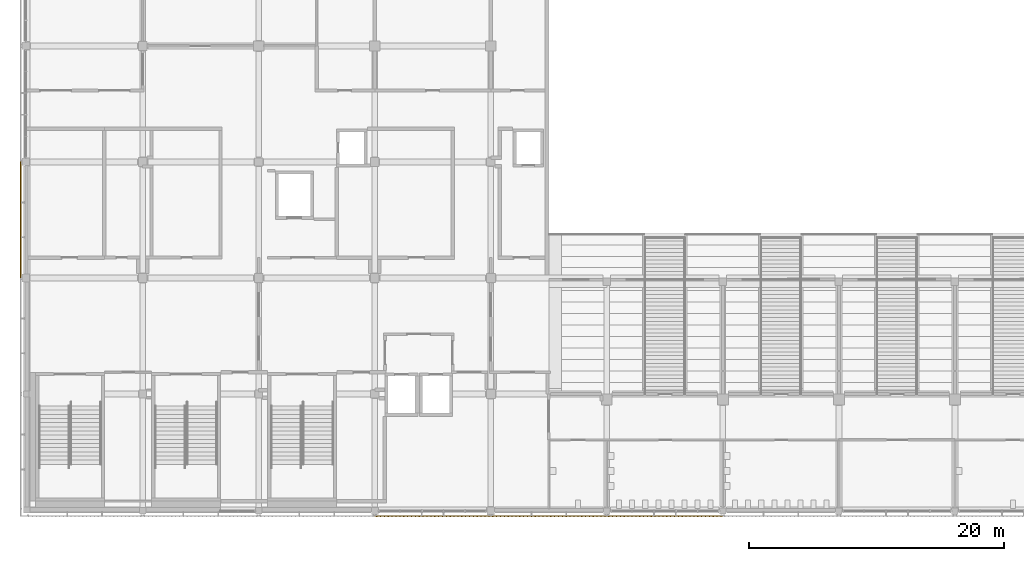
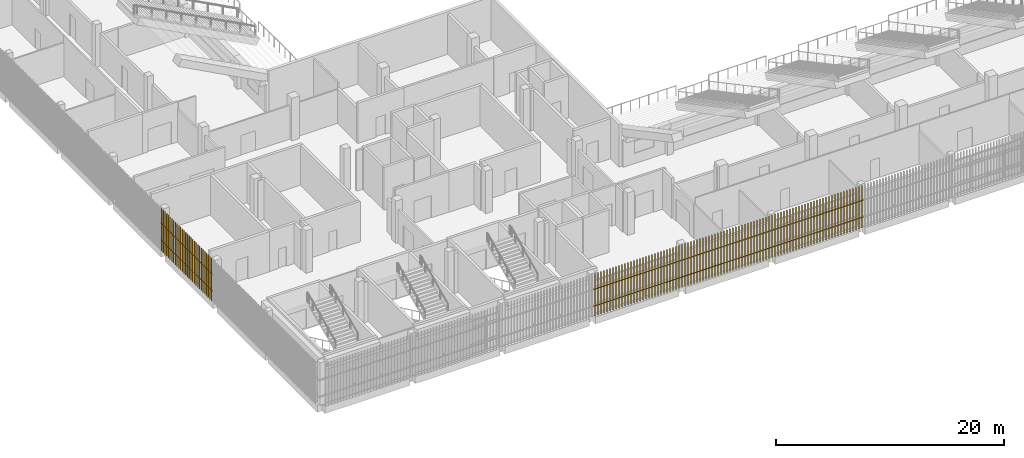
# One storey, part 115 of 139: 4 shading devices.
"""IFC4 building model written with IfcOpenShell, lengths in metres."""

from ifc_helpers import new_model, si_unit, direction, frame, origin, origin_2d, place, context, subcontext, project, spatial, rectangle, extrude, material, type_object, element, save


model = new_model("IFC4")

# Units and contexts
model_context = context("Model", 3, precision=1e-05, world=origin(), true_north=direction((0.0, 1.0)))
body_context = subcontext(model_context, "Body", "Model", "MODEL_VIEW")
ifc_project = project(units=[si_unit("LENGTHUNIT", "METRE"), si_unit("AREAUNIT", "SQUARE_METRE"), si_unit("VOLUMEUNIT", "CUBIC_METRE"), si_unit("PLANEANGLEUNIT", "RADIAN"), si_unit("MASSUNIT", "GRAM", prefix="KILO")], contexts=[model_context])

# Site, building, storey
site_placement = place(None, origin())
site = spatial("IfcSite", under=ifc_project, at=site_placement, CompositionType="ELEMENT")
building_placement = place(site_placement, origin())
building = spatial("IfcBuilding", under=site, at=building_placement, Name="Shirokan Park Arena", CompositionType="ELEMENT")
storey_placement = place(building_placement, frame((0.0, 0.0, 15.469970703125)))
storey = spatial("IfcBuildingStorey", under=building, at=storey_placement, Name="L03", CompositionType="ELEMENT", Elevation=15.469970703125)

# Shading devices
ifc_material = material(Name="Timber louvre veil (cedar)", Category="wood")
shading_device_type = type_object("IfcShadingDeviceType", Name="Timber louvre veil panel", PredefinedType="JALOUSIE", material=ifc_material)
shading_device_1_placement = place(storey_placement, origin())
element("IfcShadingDevice", 1, at=shading_device_1_placement, inside=storey, type_object=shading_device_type, Name="Timber louvre veil south bay 4 L03", PredefinedType="JALOUSIE", context=body_context, shape_type="SweptSolid", body=[
    extrude(rectangle(XDim=0.050048828125, YDim=0.080078125, at=origin_2d()), frame((27.45166015625, -0.485107421875, 0.0), z_axis=(0.0, 0.0, 1.0), x_axis=(1.0, 0.0, 0.0)), (0.0, 0.0, 1.0), 4.550048828125),
    extrude(rectangle(XDim=0.050048828125, YDim=0.080078125, at=origin_2d()), frame((27.7548828125, -0.485107421875, 0.0), z_axis=(0.0, 0.0, 1.0), x_axis=(1.0, 0.0, 0.0)), (0.0, 0.0, 1.0), 4.550048828125),
    extrude(rectangle(XDim=0.050048828125, YDim=0.080078125, at=origin_2d()), frame((28.058349609375, -0.485107421875, 0.0), z_axis=(0.0, 0.0, 1.0), x_axis=(1.0, 0.0, 0.0)), (0.0, 0.0, 1.0), 4.550048828125),
    extrude(rectangle(XDim=0.050048828125, YDim=0.080078125, at=origin_2d()), frame((28.361572265625, -0.485107421875, 0.0), z_axis=(0.0, 0.0, 1.0), x_axis=(1.0, 0.0, 0.0)), (0.0, 0.0, 1.0), 4.550048828125),
    extrude(rectangle(XDim=0.050048828125, YDim=0.080078125, at=origin_2d()), frame((28.6650390625, -0.485107421875, 0.0), z_axis=(0.0, 0.0, 1.0), x_axis=(1.0, 0.0, 0.0)), (0.0, 0.0, 1.0), 4.550048828125),
    extrude(rectangle(XDim=0.050048828125, YDim=0.080078125, at=origin_2d()), frame((28.96826171875, -0.485107421875, 0.0), z_axis=(0.0, 0.0, 1.0), x_axis=(1.0, 0.0, 0.0)), (0.0, 0.0, 1.0), 4.550048828125),
    extrude(rectangle(XDim=0.050048828125, YDim=0.080078125, at=origin_2d()), frame((29.271728515625, -0.485107421875, 0.0), z_axis=(0.0, 0.0, 1.0), x_axis=(1.0, 0.0, 0.0)), (0.0, 0.0, 1.0), 4.550048828125),
    extrude(rectangle(XDim=0.050048828125, YDim=0.080078125, at=origin_2d()), frame((29.574951171875, -0.485107421875, 0.0), z_axis=(0.0, 0.0, 1.0), x_axis=(1.0, 0.0, 0.0)), (0.0, 0.0, 1.0), 4.550048828125),
    extrude(rectangle(XDim=0.050048828125, YDim=0.080078125, at=origin_2d()), frame((29.87841796875, -0.485107421875, 0.0), z_axis=(0.0, 0.0, 1.0), x_axis=(1.0, 0.0, 0.0)), (0.0, 0.0, 1.0), 4.550048828125),
    extrude(rectangle(XDim=0.050048828125, YDim=0.080078125, at=origin_2d()), frame((30.181640625, -0.485107421875, 0.0), z_axis=(0.0, 0.0, 1.0), x_axis=(1.0, 0.0, 0.0)), (0.0, 0.0, 1.0), 4.550048828125),
    extrude(rectangle(XDim=0.050048828125, YDim=0.080078125, at=origin_2d()), frame((30.485107421875, -0.485107421875, 0.0), z_axis=(0.0, 0.0, 1.0), x_axis=(1.0, 0.0, 0.0)), (0.0, 0.0, 1.0), 4.550048828125),
    extrude(rectangle(XDim=0.050048828125, YDim=0.080078125, at=origin_2d()), frame((30.788330078125, -0.485107421875, 0.0), z_axis=(0.0, 0.0, 1.0), x_axis=(1.0, 0.0, 0.0)), (0.0, 0.0, 1.0), 4.550048828125),
    extrude(rectangle(XDim=0.050048828125, YDim=0.080078125, at=origin_2d()), frame((31.091552734375, -0.485107421875, 0.0), z_axis=(0.0, 0.0, 1.0), x_axis=(1.0, 0.0, 0.0)), (0.0, 0.0, 1.0), 4.550048828125),
    extrude(rectangle(XDim=0.050048828125, YDim=0.080078125, at=origin_2d()), frame((31.39501953125, -0.485107421875, 0.0), z_axis=(0.0, 0.0, 1.0), x_axis=(1.0, 0.0, 0.0)), (0.0, 0.0, 1.0), 4.550048828125),
    extrude(rectangle(XDim=0.050048828125, YDim=0.080078125, at=origin_2d()), frame((31.6982421875, -0.485107421875, 0.0), z_axis=(0.0, 0.0, 1.0), x_axis=(1.0, 0.0, 0.0)), (0.0, 0.0, 1.0), 4.550048828125),
    extrude(rectangle(XDim=0.050048828125, YDim=0.080078125, at=origin_2d()), frame((32.001708984375, -0.485107421875, 0.0), z_axis=(0.0, 0.0, 1.0), x_axis=(1.0, 0.0, 0.0)), (0.0, 0.0, 1.0), 4.550048828125),
    extrude(rectangle(XDim=0.050048828125, YDim=0.080078125, at=origin_2d()), frame((32.304931640625, -0.485107421875, 0.0), z_axis=(0.0, 0.0, 1.0), x_axis=(1.0, 0.0, 0.0)), (0.0, 0.0, 1.0), 4.550048828125),
    extrude(rectangle(XDim=0.050048828125, YDim=0.080078125, at=origin_2d()), frame((32.6083984375, -0.485107421875, 0.0), z_axis=(0.0, 0.0, 1.0), x_axis=(1.0, 0.0, 0.0)), (0.0, 0.0, 1.0), 4.550048828125),
    extrude(rectangle(XDim=0.050048828125, YDim=0.080078125, at=origin_2d()), frame((32.91162109375, -0.485107421875, 0.0), z_axis=(0.0, 0.0, 1.0), x_axis=(1.0, 0.0, 0.0)), (0.0, 0.0, 1.0), 4.550048828125),
    extrude(rectangle(XDim=0.050048828125, YDim=0.080078125, at=origin_2d()), frame((33.215087890625, -0.485107421875, 0.0), z_axis=(0.0, 0.0, 1.0), x_axis=(1.0, 0.0, 0.0)), (0.0, 0.0, 1.0), 4.550048828125),
    extrude(rectangle(XDim=0.050048828125, YDim=0.080078125, at=origin_2d()), frame((33.518310546875, -0.485107421875, 0.0), z_axis=(0.0, 0.0, 1.0), x_axis=(1.0, 0.0, 0.0)), (0.0, 0.0, 1.0), 4.550048828125),
    extrude(rectangle(XDim=0.050048828125, YDim=0.080078125, at=origin_2d()), frame((33.82177734375, -0.485107421875, 0.0), z_axis=(0.0, 0.0, 1.0), x_axis=(1.0, 0.0, 0.0)), (0.0, 0.0, 1.0), 4.550048828125),
    extrude(rectangle(XDim=0.050048828125, YDim=0.080078125, at=origin_2d()), frame((34.125, -0.485107421875, 0.0), z_axis=(0.0, 0.0, 1.0), x_axis=(1.0, 0.0, 0.0)), (0.0, 0.0, 1.0), 4.550048828125),
    extrude(rectangle(XDim=0.050048828125, YDim=0.080078125, at=origin_2d()), frame((34.42822265625, -0.485107421875, 0.0), z_axis=(0.0, 0.0, 1.0), x_axis=(1.0, 0.0, 0.0)), (0.0, 0.0, 1.0), 4.550048828125),
    extrude(rectangle(XDim=0.050048828125, YDim=0.080078125, at=origin_2d()), frame((34.731689453125, -0.485107421875, 0.0), z_axis=(0.0, 0.0, 1.0), x_axis=(1.0, 0.0, 0.0)), (0.0, 0.0, 1.0), 4.550048828125),
    extrude(rectangle(XDim=0.050048828125, YDim=0.080078125, at=origin_2d()), frame((35.034912109375, -0.485107421875, 0.0), z_axis=(0.0, 0.0, 1.0), x_axis=(1.0, 0.0, 0.0)), (0.0, 0.0, 1.0), 4.550048828125),
    extrude(rectangle(XDim=0.050048828125, YDim=0.080078125, at=origin_2d()), frame((35.33837890625, -0.485107421875, 0.0), z_axis=(0.0, 0.0, 1.0), x_axis=(1.0, 0.0, 0.0)), (0.0, 0.0, 1.0), 4.550048828125),
    extrude(rectangle(XDim=0.050048828125, YDim=0.080078125, at=origin_2d()), frame((35.6416015625, -0.485107421875, 0.0), z_axis=(0.0, 0.0, 1.0), x_axis=(1.0, 0.0, 0.0)), (0.0, 0.0, 1.0), 4.550048828125),
    extrude(rectangle(XDim=0.050048828125, YDim=0.080078125, at=origin_2d()), frame((35.945068359375, -0.485107421875, 0.0), z_axis=(0.0, 0.0, 1.0), x_axis=(1.0, 0.0, 0.0)), (0.0, 0.0, 1.0), 4.550048828125),
    extrude(rectangle(XDim=0.050048828125, YDim=0.080078125, at=origin_2d()), frame((36.248291015625, -0.485107421875, 0.0), z_axis=(0.0, 0.0, 1.0), x_axis=(1.0, 0.0, 0.0)), (0.0, 0.0, 1.0), 4.550048828125),
    extrude(rectangle(XDim=9.10009765625, YDim=0.050048828125, at=origin_2d()), frame((31.85009765625, -0.469970703125, 1.06005859375), z_axis=(0.0, 0.0, 1.0), x_axis=(1.0, 0.0, 0.0)), (0.0, 0.0, 1.0), 0.080078125),
    extrude(rectangle(XDim=9.10009765625, YDim=0.050048828125, at=origin_2d()), frame((31.85009765625, -0.469970703125, 2.860107421875), z_axis=(0.0, 0.0, 1.0), x_axis=(1.0, 0.0, 0.0)), (0.0, 0.0, 1.0), 0.080078125),
])
shading_device_2_placement = place(storey_placement, origin())
element("IfcShadingDevice", 2, at=shading_device_2_placement, inside=storey, type_object=shading_device_type, Name="Timber louvre veil south bay 5 L03", PredefinedType="JALOUSIE", context=body_context, shape_type="SweptSolid", body=[
    extrude(rectangle(XDim=0.050048828125, YDim=0.080078125, at=origin_2d()), frame((36.5517578125, -0.485107421875, 0.0), z_axis=(0.0, 0.0, 1.0), x_axis=(1.0, 0.0, 0.0)), (0.0, 0.0, 1.0), 4.550048828125),
    extrude(rectangle(XDim=0.050048828125, YDim=0.080078125, at=origin_2d()), frame((36.85498046875, -0.485107421875, 0.0), z_axis=(0.0, 0.0, 1.0), x_axis=(1.0, 0.0, 0.0)), (0.0, 0.0, 1.0), 4.550048828125),
    extrude(rectangle(XDim=0.050048828125, YDim=0.080078125, at=origin_2d()), frame((37.158447265625, -0.485107421875, 0.0), z_axis=(0.0, 0.0, 1.0), x_axis=(1.0, 0.0, 0.0)), (0.0, 0.0, 1.0), 4.550048828125),
    extrude(rectangle(XDim=0.050048828125, YDim=0.080078125, at=origin_2d()), frame((37.461669921875, -0.485107421875, 0.0), z_axis=(0.0, 0.0, 1.0), x_axis=(1.0, 0.0, 0.0)), (0.0, 0.0, 1.0), 4.550048828125),
    extrude(rectangle(XDim=0.050048828125, YDim=0.080078125, at=origin_2d()), frame((37.764892578125, -0.485107421875, 0.0), z_axis=(0.0, 0.0, 1.0), x_axis=(1.0, 0.0, 0.0)), (0.0, 0.0, 1.0), 4.550048828125),
    extrude(rectangle(XDim=0.050048828125, YDim=0.080078125, at=origin_2d()), frame((38.068359375, -0.485107421875, 0.0), z_axis=(0.0, 0.0, 1.0), x_axis=(1.0, 0.0, 0.0)), (0.0, 0.0, 1.0), 4.550048828125),
    extrude(rectangle(XDim=0.050048828125, YDim=0.080078125, at=origin_2d()), frame((38.37158203125, -0.485107421875, 0.0), z_axis=(0.0, 0.0, 1.0), x_axis=(1.0, 0.0, 0.0)), (0.0, 0.0, 1.0), 4.550048828125),
    extrude(rectangle(XDim=0.050048828125, YDim=0.080078125, at=origin_2d()), frame((38.675048828125, -0.485107421875, 0.0), z_axis=(0.0, 0.0, 1.0), x_axis=(1.0, 0.0, 0.0)), (0.0, 0.0, 1.0), 4.550048828125),
    extrude(rectangle(XDim=0.050048828125, YDim=0.080078125, at=origin_2d()), frame((38.978271484375, -0.485107421875, 0.0), z_axis=(0.0, 0.0, 1.0), x_axis=(1.0, 0.0, 0.0)), (0.0, 0.0, 1.0), 4.550048828125),
    extrude(rectangle(XDim=0.050048828125, YDim=0.080078125, at=origin_2d()), frame((39.28173828125, -0.485107421875, 0.0), z_axis=(0.0, 0.0, 1.0), x_axis=(1.0, 0.0, 0.0)), (0.0, 0.0, 1.0), 4.550048828125),
    extrude(rectangle(XDim=0.050048828125, YDim=0.080078125, at=origin_2d()), frame((39.5849609375, -0.485107421875, 0.0), z_axis=(0.0, 0.0, 1.0), x_axis=(1.0, 0.0, 0.0)), (0.0, 0.0, 1.0), 4.550048828125),
    extrude(rectangle(XDim=0.050048828125, YDim=0.080078125, at=origin_2d()), frame((39.888427734375, -0.485107421875, 0.0), z_axis=(0.0, 0.0, 1.0), x_axis=(1.0, 0.0, 0.0)), (0.0, 0.0, 1.0), 4.550048828125),
    extrude(rectangle(XDim=0.050048828125, YDim=0.080078125, at=origin_2d()), frame((40.191650390625, -0.485107421875, 0.0), z_axis=(0.0, 0.0, 1.0), x_axis=(1.0, 0.0, 0.0)), (0.0, 0.0, 1.0), 4.550048828125),
    extrude(rectangle(XDim=0.050048828125, YDim=0.080078125, at=origin_2d()), frame((40.4951171875, -0.485107421875, 0.0), z_axis=(0.0, 0.0, 1.0), x_axis=(1.0, 0.0, 0.0)), (0.0, 0.0, 1.0), 4.550048828125),
    extrude(rectangle(XDim=0.050048828125, YDim=0.080078125, at=origin_2d()), frame((40.79833984375, -0.485107421875, 0.0), z_axis=(0.0, 0.0, 1.0), x_axis=(1.0, 0.0, 0.0)), (0.0, 0.0, 1.0), 4.550048828125),
    extrude(rectangle(XDim=0.050048828125, YDim=0.080078125, at=origin_2d()), frame((41.1015625, -0.485107421875, 0.0), z_axis=(0.0, 0.0, 1.0), x_axis=(1.0, 0.0, 0.0)), (0.0, 0.0, 1.0), 4.550048828125),
    extrude(rectangle(XDim=0.050048828125, YDim=0.080078125, at=origin_2d()), frame((41.405029296875, -0.485107421875, 0.0), z_axis=(0.0, 0.0, 1.0), x_axis=(1.0, 0.0, 0.0)), (0.0, 0.0, 1.0), 4.550048828125),
    extrude(rectangle(XDim=0.050048828125, YDim=0.080078125, at=origin_2d()), frame((41.708251953125, -0.485107421875, 0.0), z_axis=(0.0, 0.0, 1.0), x_axis=(1.0, 0.0, 0.0)), (0.0, 0.0, 1.0), 4.550048828125),
    extrude(rectangle(XDim=0.050048828125, YDim=0.080078125, at=origin_2d()), frame((42.01171875, -0.485107421875, 0.0), z_axis=(0.0, 0.0, 1.0), x_axis=(1.0, 0.0, 0.0)), (0.0, 0.0, 1.0), 4.550048828125),
    extrude(rectangle(XDim=0.050048828125, YDim=0.080078125, at=origin_2d()), frame((42.31494140625, -0.485107421875, 0.0), z_axis=(0.0, 0.0, 1.0), x_axis=(1.0, 0.0, 0.0)), (0.0, 0.0, 1.0), 4.550048828125),
    extrude(rectangle(XDim=0.050048828125, YDim=0.080078125, at=origin_2d()), frame((42.618408203125, -0.485107421875, 0.0), z_axis=(0.0, 0.0, 1.0), x_axis=(1.0, 0.0, 0.0)), (0.0, 0.0, 1.0), 4.550048828125),
    extrude(rectangle(XDim=0.050048828125, YDim=0.080078125, at=origin_2d()), frame((42.921630859375, -0.485107421875, 0.0), z_axis=(0.0, 0.0, 1.0), x_axis=(1.0, 0.0, 0.0)), (0.0, 0.0, 1.0), 4.550048828125),
    extrude(rectangle(XDim=0.050048828125, YDim=0.080078125, at=origin_2d()), frame((43.22509765625, -0.485107421875, 0.0), z_axis=(0.0, 0.0, 1.0), x_axis=(1.0, 0.0, 0.0)), (0.0, 0.0, 1.0), 4.550048828125),
    extrude(rectangle(XDim=0.050048828125, YDim=0.080078125, at=origin_2d()), frame((43.5283203125, -0.485107421875, 0.0), z_axis=(0.0, 0.0, 1.0), x_axis=(1.0, 0.0, 0.0)), (0.0, 0.0, 1.0), 4.550048828125),
    extrude(rectangle(XDim=0.050048828125, YDim=0.080078125, at=origin_2d()), frame((43.831787109375, -0.485107421875, 0.0), z_axis=(0.0, 0.0, 1.0), x_axis=(1.0, 0.0, 0.0)), (0.0, 0.0, 1.0), 4.550048828125),
    extrude(rectangle(XDim=0.050048828125, YDim=0.080078125, at=origin_2d()), frame((44.135009765625, -0.485107421875, 0.0), z_axis=(0.0, 0.0, 1.0), x_axis=(1.0, 0.0, 0.0)), (0.0, 0.0, 1.0), 4.550048828125),
    extrude(rectangle(XDim=0.050048828125, YDim=0.080078125, at=origin_2d()), frame((44.438232421875, -0.485107421875, 0.0), z_axis=(0.0, 0.0, 1.0), x_axis=(1.0, 0.0, 0.0)), (0.0, 0.0, 1.0), 4.550048828125),
    extrude(rectangle(XDim=0.050048828125, YDim=0.080078125, at=origin_2d()), frame((44.74169921875, -0.485107421875, 0.0), z_axis=(0.0, 0.0, 1.0), x_axis=(1.0, 0.0, 0.0)), (0.0, 0.0, 1.0), 4.550048828125),
    extrude(rectangle(XDim=0.050048828125, YDim=0.080078125, at=origin_2d()), frame((45.044921875, -0.485107421875, 0.0), z_axis=(0.0, 0.0, 1.0), x_axis=(1.0, 0.0, 0.0)), (0.0, 0.0, 1.0), 4.550048828125),
    extrude(rectangle(XDim=0.050048828125, YDim=0.080078125, at=origin_2d()), frame((45.348388671875, -0.485107421875, 0.0), z_axis=(0.0, 0.0, 1.0), x_axis=(1.0, 0.0, 0.0)), (0.0, 0.0, 1.0), 4.550048828125),
    extrude(rectangle(XDim=9.10009765625, YDim=0.050048828125, at=origin_2d()), frame((40.949951171875, -0.469970703125, 1.06005859375), z_axis=(0.0, 0.0, 1.0), x_axis=(1.0, 0.0, 0.0)), (0.0, 0.0, 1.0), 0.080078125),
    extrude(rectangle(XDim=9.10009765625, YDim=0.050048828125, at=origin_2d()), frame((40.949951171875, -0.469970703125, 2.860107421875), z_axis=(0.0, 0.0, 1.0), x_axis=(1.0, 0.0, 0.0)), (0.0, 0.0, 1.0), 0.080078125),
])
shading_device_3_placement = place(storey_placement, origin())
element("IfcShadingDevice", 3, at=shading_device_3_placement, inside=storey, type_object=shading_device_type, Name="Timber louvre veil south bay 6 L03", PredefinedType="JALOUSIE", context=body_context, shape_type="SweptSolid", body=[
    extrude(rectangle(XDim=0.050048828125, YDim=0.080078125, at=origin_2d()), frame((45.651611328125, -0.485107421875, 0.0), z_axis=(0.0, 0.0, 1.0), x_axis=(1.0, 0.0, 0.0)), (0.0, 0.0, 1.0), 4.550048828125),
    extrude(rectangle(XDim=0.050048828125, YDim=0.080078125, at=origin_2d()), frame((45.955078125, -0.485107421875, 0.0), z_axis=(0.0, 0.0, 1.0), x_axis=(1.0, 0.0, 0.0)), (0.0, 0.0, 1.0), 4.550048828125),
    extrude(rectangle(XDim=0.050048828125, YDim=0.080078125, at=origin_2d()), frame((46.25830078125, -0.485107421875, 0.0), z_axis=(0.0, 0.0, 1.0), x_axis=(1.0, 0.0, 0.0)), (0.0, 0.0, 1.0), 4.550048828125),
    extrude(rectangle(XDim=0.050048828125, YDim=0.080078125, at=origin_2d()), frame((46.561767578125, -0.485107421875, 0.0), z_axis=(0.0, 0.0, 1.0), x_axis=(1.0, 0.0, 0.0)), (0.0, 0.0, 1.0), 4.550048828125),
    extrude(rectangle(XDim=0.050048828125, YDim=0.080078125, at=origin_2d()), frame((46.864990234375, -0.485107421875, 0.0), z_axis=(0.0, 0.0, 1.0), x_axis=(1.0, 0.0, 0.0)), (0.0, 0.0, 1.0), 4.550048828125),
    extrude(rectangle(XDim=0.050048828125, YDim=0.080078125, at=origin_2d()), frame((47.168212890625, -0.485107421875, 0.0), z_axis=(0.0, 0.0, 1.0), x_axis=(1.0, 0.0, 0.0)), (0.0, 0.0, 1.0), 4.550048828125),
    extrude(rectangle(XDim=0.050048828125, YDim=0.080078125, at=origin_2d()), frame((47.4716796875, -0.485107421875, 0.0), z_axis=(0.0, 0.0, 1.0), x_axis=(1.0, 0.0, 0.0)), (0.0, 0.0, 1.0), 4.550048828125),
    extrude(rectangle(XDim=0.050048828125, YDim=0.080078125, at=origin_2d()), frame((47.77490234375, -0.485107421875, 0.0), z_axis=(0.0, 0.0, 1.0), x_axis=(1.0, 0.0, 0.0)), (0.0, 0.0, 1.0), 4.550048828125),
    extrude(rectangle(XDim=0.050048828125, YDim=0.080078125, at=origin_2d()), frame((48.078369140625, -0.485107421875, 0.0), z_axis=(0.0, 0.0, 1.0), x_axis=(1.0, 0.0, 0.0)), (0.0, 0.0, 1.0), 4.550048828125),
    extrude(rectangle(XDim=0.050048828125, YDim=0.080078125, at=origin_2d()), frame((48.381591796875, -0.485107421875, 0.0), z_axis=(0.0, 0.0, 1.0), x_axis=(1.0, 0.0, 0.0)), (0.0, 0.0, 1.0), 4.550048828125),
    extrude(rectangle(XDim=0.050048828125, YDim=0.080078125, at=origin_2d()), frame((48.68505859375, -0.485107421875, 0.0), z_axis=(0.0, 0.0, 1.0), x_axis=(1.0, 0.0, 0.0)), (0.0, 0.0, 1.0), 4.550048828125),
    extrude(rectangle(XDim=0.050048828125, YDim=0.080078125, at=origin_2d()), frame((48.98828125, -0.485107421875, 0.0), z_axis=(0.0, 0.0, 1.0), x_axis=(1.0, 0.0, 0.0)), (0.0, 0.0, 1.0), 4.550048828125),
    extrude(rectangle(XDim=0.050048828125, YDim=0.080078125, at=origin_2d()), frame((49.291748046875, -0.485107421875, 0.0), z_axis=(0.0, 0.0, 1.0), x_axis=(1.0, 0.0, 0.0)), (0.0, 0.0, 1.0), 4.550048828125),
    extrude(rectangle(XDim=0.050048828125, YDim=0.080078125, at=origin_2d()), frame((49.594970703125, -0.485107421875, 0.0), z_axis=(0.0, 0.0, 1.0), x_axis=(1.0, 0.0, 0.0)), (0.0, 0.0, 1.0), 4.550048828125),
    extrude(rectangle(XDim=0.050048828125, YDim=0.080078125, at=origin_2d()), frame((49.8984375, -0.485107421875, 0.0), z_axis=(0.0, 0.0, 1.0), x_axis=(1.0, 0.0, 0.0)), (0.0, 0.0, 1.0), 4.550048828125),
    extrude(rectangle(XDim=0.050048828125, YDim=0.080078125, at=origin_2d()), frame((50.20166015625, -0.485107421875, 0.0), z_axis=(0.0, 0.0, 1.0), x_axis=(1.0, 0.0, 0.0)), (0.0, 0.0, 1.0), 4.550048828125),
    extrude(rectangle(XDim=0.050048828125, YDim=0.080078125, at=origin_2d()), frame((50.5048828125, -0.485107421875, 0.0), z_axis=(0.0, 0.0, 1.0), x_axis=(1.0, 0.0, 0.0)), (0.0, 0.0, 1.0), 4.550048828125),
    extrude(rectangle(XDim=0.050048828125, YDim=0.080078125, at=origin_2d()), frame((50.808349609375, -0.485107421875, 0.0), z_axis=(0.0, 0.0, 1.0), x_axis=(1.0, 0.0, 0.0)), (0.0, 0.0, 1.0), 4.550048828125),
    extrude(rectangle(XDim=0.050048828125, YDim=0.080078125, at=origin_2d()), frame((51.111572265625, -0.485107421875, 0.0), z_axis=(0.0, 0.0, 1.0), x_axis=(1.0, 0.0, 0.0)), (0.0, 0.0, 1.0), 4.550048828125),
    extrude(rectangle(XDim=0.050048828125, YDim=0.080078125, at=origin_2d()), frame((51.4150390625, -0.485107421875, 0.0), z_axis=(0.0, 0.0, 1.0), x_axis=(1.0, 0.0, 0.0)), (0.0, 0.0, 1.0), 4.550048828125),
    extrude(rectangle(XDim=0.050048828125, YDim=0.080078125, at=origin_2d()), frame((51.71826171875, -0.485107421875, 0.0), z_axis=(0.0, 0.0, 1.0), x_axis=(1.0, 0.0, 0.0)), (0.0, 0.0, 1.0), 4.550048828125),
    extrude(rectangle(XDim=0.050048828125, YDim=0.080078125, at=origin_2d()), frame((52.021728515625, -0.485107421875, 0.0), z_axis=(0.0, 0.0, 1.0), x_axis=(1.0, 0.0, 0.0)), (0.0, 0.0, 1.0), 4.550048828125),
    extrude(rectangle(XDim=0.050048828125, YDim=0.080078125, at=origin_2d()), frame((52.324951171875, -0.485107421875, 0.0), z_axis=(0.0, 0.0, 1.0), x_axis=(1.0, 0.0, 0.0)), (0.0, 0.0, 1.0), 4.550048828125),
    extrude(rectangle(XDim=0.050048828125, YDim=0.080078125, at=origin_2d()), frame((52.62841796875, -0.485107421875, 0.0), z_axis=(0.0, 0.0, 1.0), x_axis=(1.0, 0.0, 0.0)), (0.0, 0.0, 1.0), 4.550048828125),
    extrude(rectangle(XDim=0.050048828125, YDim=0.080078125, at=origin_2d()), frame((52.931640625, -0.485107421875, 0.0), z_axis=(0.0, 0.0, 1.0), x_axis=(1.0, 0.0, 0.0)), (0.0, 0.0, 1.0), 4.550048828125),
    extrude(rectangle(XDim=0.050048828125, YDim=0.080078125, at=origin_2d()), frame((53.235107421875, -0.485107421875, 0.0), z_axis=(0.0, 0.0, 1.0), x_axis=(1.0, 0.0, 0.0)), (0.0, 0.0, 1.0), 4.550048828125),
    extrude(rectangle(XDim=0.050048828125, YDim=0.080078125, at=origin_2d()), frame((53.538330078125, -0.485107421875, 0.0), z_axis=(0.0, 0.0, 1.0), x_axis=(1.0, 0.0, 0.0)), (0.0, 0.0, 1.0), 4.550048828125),
    extrude(rectangle(XDim=0.050048828125, YDim=0.080078125, at=origin_2d()), frame((53.841552734375, -0.485107421875, 0.0), z_axis=(0.0, 0.0, 1.0), x_axis=(1.0, 0.0, 0.0)), (0.0, 0.0, 1.0), 4.550048828125),
    extrude(rectangle(XDim=0.050048828125, YDim=0.080078125, at=origin_2d()), frame((54.14501953125, -0.485107421875, 0.0), z_axis=(0.0, 0.0, 1.0), x_axis=(1.0, 0.0, 0.0)), (0.0, 0.0, 1.0), 4.550048828125),
    extrude(rectangle(XDim=0.050048828125, YDim=0.080078125, at=origin_2d()), frame((54.4482421875, -0.485107421875, 0.0), z_axis=(0.0, 0.0, 1.0), x_axis=(1.0, 0.0, 0.0)), (0.0, 0.0, 1.0), 4.550048828125),
    extrude(rectangle(XDim=9.10009765625, YDim=0.050048828125, at=origin_2d()), frame((50.050048828125, -0.469970703125, 1.06005859375), z_axis=(0.0, 0.0, 1.0), x_axis=(1.0, 0.0, 0.0)), (0.0, 0.0, 1.0), 0.080078125),
    extrude(rectangle(XDim=9.10009765625, YDim=0.050048828125, at=origin_2d()), frame((50.050048828125, -0.469970703125, 2.860107421875), z_axis=(0.0, 0.0, 1.0), x_axis=(1.0, 0.0, 0.0)), (0.0, 0.0, 1.0), 0.080078125),
])
shading_device_4_placement = place(storey_placement, origin())
element("IfcShadingDevice", 4, at=shading_device_4_placement, inside=storey, type_object=shading_device_type, Name="Timber louvre veil west bay 10 L03", PredefinedType="JALOUSIE", context=body_context, shape_type="SweptSolid", body=[
    extrude(rectangle(XDim=0.050048828125, YDim=0.080078125, at=origin_2d()), frame((-0.485107421875, 27.1484375, 0.0), z_axis=(0.0, 0.0, 1.0), x_axis=(0.0, -1.0, 0.0)), (0.0, 0.0, 1.0), 4.550048828125),
    extrude(rectangle(XDim=0.050048828125, YDim=0.080078125, at=origin_2d()), frame((-0.485107421875, 26.844970703125, 0.0), z_axis=(0.0, 0.0, 1.0), x_axis=(0.0, -1.0, 0.0)), (0.0, 0.0, 1.0), 4.550048828125),
    extrude(rectangle(XDim=0.050048828125, YDim=0.080078125, at=origin_2d()), frame((-0.485107421875, 26.541748046875, 0.0), z_axis=(0.0, 0.0, 1.0), x_axis=(0.0, -1.0, 0.0)), (0.0, 0.0, 1.0), 4.550048828125),
    extrude(rectangle(XDim=0.050048828125, YDim=0.080078125, at=origin_2d()), frame((-0.485107421875, 26.23828125, 0.0), z_axis=(0.0, 0.0, 1.0), x_axis=(0.0, -1.0, 0.0)), (0.0, 0.0, 1.0), 4.550048828125),
    extrude(rectangle(XDim=0.050048828125, YDim=0.080078125, at=origin_2d()), frame((-0.485107421875, 25.93505859375, 0.0), z_axis=(0.0, 0.0, 1.0), x_axis=(0.0, -1.0, 0.0)), (0.0, 0.0, 1.0), 4.550048828125),
    extrude(rectangle(XDim=0.050048828125, YDim=0.080078125, at=origin_2d()), frame((-0.485107421875, 25.631591796875, 0.0), z_axis=(0.0, 0.0, 1.0), x_axis=(0.0, -1.0, 0.0)), (0.0, 0.0, 1.0), 4.550048828125),
    extrude(rectangle(XDim=0.050048828125, YDim=0.080078125, at=origin_2d()), frame((-0.485107421875, 25.328369140625, 0.0), z_axis=(0.0, 0.0, 1.0), x_axis=(0.0, -1.0, 0.0)), (0.0, 0.0, 1.0), 4.550048828125),
    extrude(rectangle(XDim=0.050048828125, YDim=0.080078125, at=origin_2d()), frame((-0.485107421875, 25.02490234375, 0.0), z_axis=(0.0, 0.0, 1.0), x_axis=(0.0, -1.0, 0.0)), (0.0, 0.0, 1.0), 4.550048828125),
    extrude(rectangle(XDim=0.050048828125, YDim=0.080078125, at=origin_2d()), frame((-0.485107421875, 24.7216796875, 0.0), z_axis=(0.0, 0.0, 1.0), x_axis=(0.0, -1.0, 0.0)), (0.0, 0.0, 1.0), 4.550048828125),
    extrude(rectangle(XDim=0.050048828125, YDim=0.080078125, at=origin_2d()), frame((-0.485107421875, 24.418212890625, 0.0), z_axis=(0.0, 0.0, 1.0), x_axis=(0.0, -1.0, 0.0)), (0.0, 0.0, 1.0), 4.550048828125),
    extrude(rectangle(XDim=0.050048828125, YDim=0.080078125, at=origin_2d()), frame((-0.485107421875, 24.114990234375, 0.0), z_axis=(0.0, 0.0, 1.0), x_axis=(0.0, -1.0, 0.0)), (0.0, 0.0, 1.0), 4.550048828125),
    extrude(rectangle(XDim=0.050048828125, YDim=0.080078125, at=origin_2d()), frame((-0.485107421875, 23.811767578125, 0.0), z_axis=(0.0, 0.0, 1.0), x_axis=(0.0, -1.0, 0.0)), (0.0, 0.0, 1.0), 4.550048828125),
    extrude(rectangle(XDim=0.050048828125, YDim=0.080078125, at=origin_2d()), frame((-0.485107421875, 23.50830078125, 0.0), z_axis=(0.0, 0.0, 1.0), x_axis=(0.0, -1.0, 0.0)), (0.0, 0.0, 1.0), 4.550048828125),
    extrude(rectangle(XDim=0.050048828125, YDim=0.080078125, at=origin_2d()), frame((-0.485107421875, 23.205078125, 0.0), z_axis=(0.0, 0.0, 1.0), x_axis=(0.0, -1.0, 0.0)), (0.0, 0.0, 1.0), 4.550048828125),
    extrude(rectangle(XDim=0.050048828125, YDim=0.080078125, at=origin_2d()), frame((-0.485107421875, 22.901611328125, 0.0), z_axis=(0.0, 0.0, 1.0), x_axis=(0.0, -1.0, 0.0)), (0.0, 0.0, 1.0), 4.550048828125),
    extrude(rectangle(XDim=0.050048828125, YDim=0.080078125, at=origin_2d()), frame((-0.485107421875, 22.598388671875, 0.0), z_axis=(0.0, 0.0, 1.0), x_axis=(0.0, -1.0, 0.0)), (0.0, 0.0, 1.0), 4.550048828125),
    extrude(rectangle(XDim=0.050048828125, YDim=0.080078125, at=origin_2d()), frame((-0.485107421875, 22.294921875, 0.0), z_axis=(0.0, 0.0, 1.0), x_axis=(0.0, -1.0, 0.0)), (0.0, 0.0, 1.0), 4.550048828125),
    extrude(rectangle(XDim=0.050048828125, YDim=0.080078125, at=origin_2d()), frame((-0.485107421875, 21.99169921875, 0.0), z_axis=(0.0, 0.0, 1.0), x_axis=(0.0, -1.0, 0.0)), (0.0, 0.0, 1.0), 4.550048828125),
    extrude(rectangle(XDim=0.050048828125, YDim=0.080078125, at=origin_2d()), frame((-0.485107421875, 21.688232421875, 0.0), z_axis=(0.0, 0.0, 1.0), x_axis=(0.0, -1.0, 0.0)), (0.0, 0.0, 1.0), 4.550048828125),
    extrude(rectangle(XDim=0.050048828125, YDim=0.080078125, at=origin_2d()), frame((-0.485107421875, 21.385009765625, 0.0), z_axis=(0.0, 0.0, 1.0), x_axis=(0.0, -1.0, 0.0)), (0.0, 0.0, 1.0), 4.550048828125),
    extrude(rectangle(XDim=0.050048828125, YDim=0.080078125, at=origin_2d()), frame((-0.485107421875, 21.081787109375, 0.0), z_axis=(0.0, 0.0, 1.0), x_axis=(0.0, -1.0, 0.0)), (0.0, 0.0, 1.0), 4.550048828125),
    extrude(rectangle(XDim=0.050048828125, YDim=0.080078125, at=origin_2d()), frame((-0.485107421875, 20.7783203125, 0.0), z_axis=(0.0, 0.0, 1.0), x_axis=(0.0, -1.0, 0.0)), (0.0, 0.0, 1.0), 4.550048828125),
    extrude(rectangle(XDim=0.050048828125, YDim=0.080078125, at=origin_2d()), frame((-0.485107421875, 20.47509765625, 0.0), z_axis=(0.0, 0.0, 1.0), x_axis=(0.0, -1.0, 0.0)), (0.0, 0.0, 1.0), 4.550048828125),
    extrude(rectangle(XDim=0.050048828125, YDim=0.080078125, at=origin_2d()), frame((-0.485107421875, 20.171630859375, 0.0), z_axis=(0.0, 0.0, 1.0), x_axis=(0.0, -1.0, 0.0)), (0.0, 0.0, 1.0), 4.550048828125),
    extrude(rectangle(XDim=0.050048828125, YDim=0.080078125, at=origin_2d()), frame((-0.485107421875, 19.868408203125, 0.0), z_axis=(0.0, 0.0, 1.0), x_axis=(0.0, -1.0, 0.0)), (0.0, 0.0, 1.0), 4.550048828125),
    extrude(rectangle(XDim=0.050048828125, YDim=0.080078125, at=origin_2d()), frame((-0.485107421875, 19.56494140625, 0.0), z_axis=(0.0, 0.0, 1.0), x_axis=(0.0, -1.0, 0.0)), (0.0, 0.0, 1.0), 4.550048828125),
    extrude(rectangle(XDim=0.050048828125, YDim=0.080078125, at=origin_2d()), frame((-0.485107421875, 19.26171875, 0.0), z_axis=(0.0, 0.0, 1.0), x_axis=(0.0, -1.0, 0.0)), (0.0, 0.0, 1.0), 4.550048828125),
    extrude(rectangle(XDim=0.050048828125, YDim=0.080078125, at=origin_2d()), frame((-0.485107421875, 18.958251953125, 0.0), z_axis=(0.0, 0.0, 1.0), x_axis=(0.0, -1.0, 0.0)), (0.0, 0.0, 1.0), 4.550048828125),
    extrude(rectangle(XDim=0.050048828125, YDim=0.080078125, at=origin_2d()), frame((-0.485107421875, 18.655029296875, 0.0), z_axis=(0.0, 0.0, 1.0), x_axis=(0.0, -1.0, 0.0)), (0.0, 0.0, 1.0), 4.550048828125),
    extrude(rectangle(XDim=0.050048828125, YDim=0.080078125, at=origin_2d()), frame((-0.485107421875, 18.3515625, 0.0), z_axis=(0.0, 0.0, 1.0), x_axis=(0.0, -1.0, 0.0)), (0.0, 0.0, 1.0), 4.550048828125),
    extrude(rectangle(XDim=9.10009765625, YDim=0.050048828125, at=origin_2d()), frame((-0.469970703125, 22.75, 1.06005859375), z_axis=(0.0, 0.0, 1.0), x_axis=(0.0, -1.0, 0.0)), (0.0, 0.0, 1.0), 0.080078125),
    extrude(rectangle(XDim=9.10009765625, YDim=0.050048828125, at=origin_2d()), frame((-0.469970703125, 22.75, 2.860107421875), z_axis=(0.0, 0.0, 1.0), x_axis=(0.0, -1.0, 0.0)), (0.0, 0.0, 1.0), 0.080078125),
])

save(model, "model.ifc")
